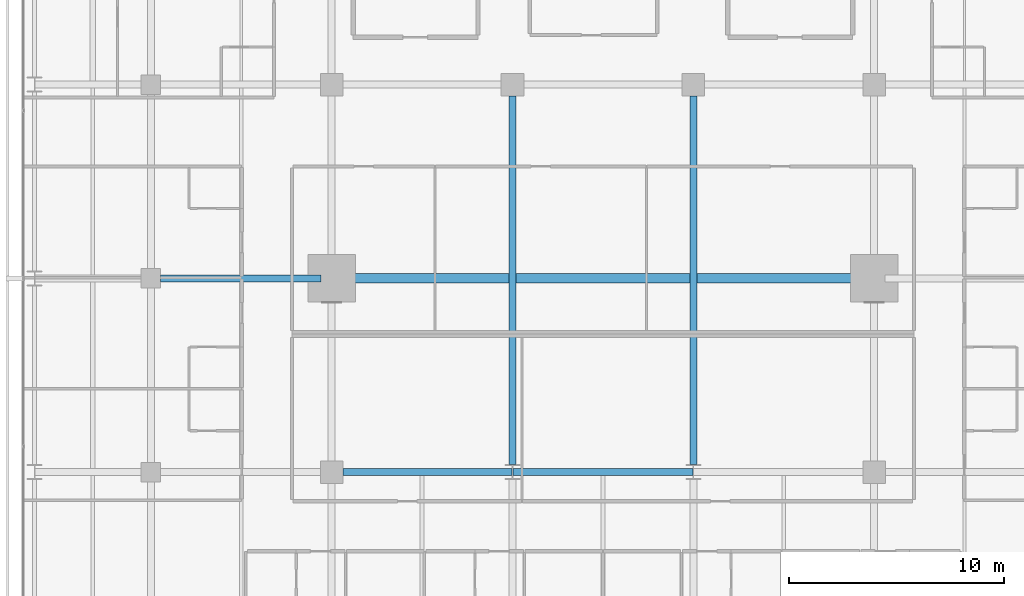
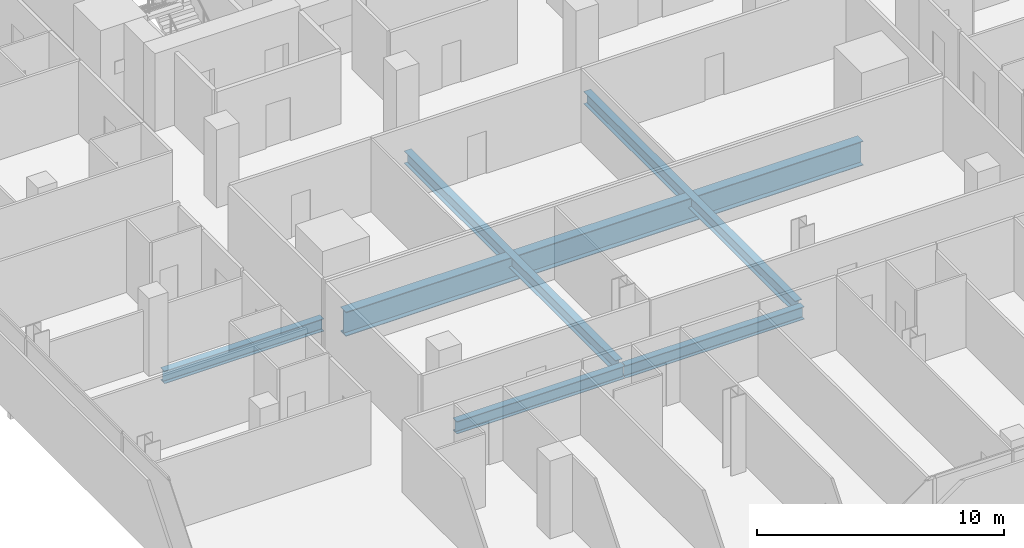
# One storey, part 13 of 40: 6 beams.
"""IFC4 building model written with IfcOpenShell, lengths in metres."""

from ifc_helpers import new_model, si_unit, direction, frame, origin, origin_2d, place, context, subcontext, project, spatial, i_section, extrude, material, material_profile, profile_set, type_object, element, save


model = new_model("IFC4")

# Units and contexts
model_context = context("Model", 3, precision=1e-05, world=origin(), true_north=direction((0.0, 1.0)))
body_context = subcontext(model_context, "Body", "Model", "MODEL_VIEW")
ifc_project = project(units=[si_unit("LENGTHUNIT", "METRE"), si_unit("AREAUNIT", "SQUARE_METRE"), si_unit("VOLUMEUNIT", "CUBIC_METRE"), si_unit("PLANEANGLEUNIT", "RADIAN"), si_unit("MASSUNIT", "GRAM", prefix="KILO")], contexts=[model_context])

# Site, building, storey
site_placement = place(None, origin())
site = spatial("IfcSite", under=ifc_project, at=site_placement, CompositionType="ELEMENT")
building_placement = place(site_placement, origin())
building = spatial("IfcBuilding", under=site, at=building_placement, Name="Maruvema Waterfront Hotel and Observation Tower", CompositionType="ELEMENT")
storey_placement = place(building_placement, frame((0.0, 0.0, 42.35009765625)))
storey = spatial("IfcBuildingStorey", under=building, at=storey_placement, Name="L09", CompositionType="ELEMENT", Elevation=42.35009765625)

# Beams
ifc_material_1 = material(Name="Steel ASTM A572 Grade 50", Category="steel")
ifc_material_profile_1 = material_profile(ifc_material_1, i_section(OverallWidth=0.326904296875, OverallDepth=0.6220703125, WebThickness=0.015380859375, FlangeThickness=0.0244140625, FilletRadius=0.01806640625, at=origin_2d()), Name="W610x195.0")
ifc_profile_set_1 = profile_set([ifc_material_profile_1], Name="Steel ASTM A572 Grade 50")
beam_type_1 = type_object("IfcBeamType", Name="Primary Floor Girder W610x195.0", PredefinedType="BEAM", material=ifc_profile_set_1)
beam_1_placement = place(storey_placement, frame((25.72509765625, 18.0, -0.551025390625), z_axis=(1.0, 0.0, 0.0), x_axis=(0.0, 1.0, 0.0)))
element("IfcBeam", 1, at=beam_1_placement, inside=storey, type_object=beam_type_1, Name="L09 Floor Girder EW-15", PredefinedType="BEAM", context=body_context, shape_type="SweptSolid", body=[
    extrude(i_section(OverallWidth=0.326904296875, OverallDepth=0.6220703125, WebThickness=0.015380859375, FlangeThickness=0.0244140625, FilletRadius=0.01806640625, at=origin_2d()), origin(), (0.0, 0.0, 1.0), 7.86083984375),
])
beam_2_placement = place(storey_placement, frame((33.614013671875, 18.0, -0.551025390625), z_axis=(1.0, 0.0, 0.0), x_axis=(0.0, 1.0, 0.0)))
element("IfcBeam", 2, at=beam_2_placement, inside=storey, type_object=beam_type_1, Name="L09 Floor Girder EW-16", PredefinedType="BEAM", context=body_context, shape_type="SweptSolid", body=[
    extrude(i_section(OverallWidth=0.326904296875, OverallDepth=0.6220703125, WebThickness=0.015380859375, FlangeThickness=0.0244140625, FilletRadius=0.01806640625, at=origin_2d()), origin(), (0.0, 0.0, 1.0), 8.3720703125),
])
beam_3_placement = place(storey_placement, frame((17.25, 27.0, -0.551025390625), z_axis=(1.0, 0.0, 0.0), x_axis=(0.0, 1.0, 0.0)))
element("IfcBeam", 3, at=beam_3_placement, inside=storey, type_object=beam_type_1, Name="L09 Floor Girder EW-21", PredefinedType="BEAM", context=body_context, shape_type="SweptSolid", body=[
    extrude(i_section(OverallWidth=0.326904296875, OverallDepth=0.6220703125, WebThickness=0.015380859375, FlangeThickness=0.0244140625, FilletRadius=0.01806640625, at=origin_2d()), origin(), (0.0, 0.0, 1.0), 7.449951171875),
])
for number, where, z_axis, x_axis, name in (
    (4, (33.60009765625, 18.35009765625, -0.551025390625), (0.0, 1.0, 0.0), (-1.0, 0.0, 0.0), "L09 Floor Girder NS-18"),
    (5, (42.0, 18.35009765625, -0.551025390625), (0.0, 1.0, 0.0), (-1.0, 0.0, 0.0), "L09 Floor Girder NS-21"),
):
    element("IfcBeam", number, at=place(storey_placement, frame(where, z_axis=z_axis, x_axis=x_axis)), inside=storey, type_object=beam_type_1, Name=name, PredefinedType="BEAM", context=body_context, shape_type="SweptSolid", body=[
        extrude(i_section(OverallWidth=0.326904296875, OverallDepth=0.6220703125, WebThickness=0.015380859375, FlangeThickness=0.0244140625, FilletRadius=0.01806640625, at=origin_2d()), origin(), (0.0, 0.0, 1.0), 17.125),
    ])
ifc_material_2 = material(Name="Steel ABNT NBR 7007 AR 415 (ASTM A572 Grade 50)", Category="steel")
ifc_material_profile_2 = material_profile(ifc_material_2, i_section(OverallWidth=0.449951171875, OverallDepth=1.199951171875, WebThickness=0.01904296875, FlangeThickness=0.031982421875, at=origin_2d()), Name="VS1200x366")
ifc_profile_set_2 = profile_set([ifc_material_profile_2], Name="Steel ABNT NBR 7007 AR 415 (ASTM A572 Grade 50)")
beam_type_2 = type_object("IfcBeamType", Name="Upper Setback Transfer Girder VS1200x366", PredefinedType="USERDEFINED", material=ifc_profile_set_2)
beam_4_placement = place(storey_placement, frame((25.699951171875, 27.0, -0.840087890625), z_axis=(1.0, 0.0, 0.0), x_axis=(0.0, 1.0, 0.0)))
element("IfcBeam", 6, at=beam_4_placement, inside=storey, type_object=beam_type_2, Name="L09 Floor Girder EW-22", ObjectType="TRANSFER GIRDER", PredefinedType="USERDEFINED", context=body_context, shape_type="SweptSolid", body=[
    extrude(i_section(OverallWidth=0.449951171875, OverallDepth=1.199951171875, WebThickness=0.01904296875, FlangeThickness=0.031982421875, at=origin_2d()), origin(), (0.0, 0.0, 1.0), 24.199951171875),
])

save(model, "model.ifc")
